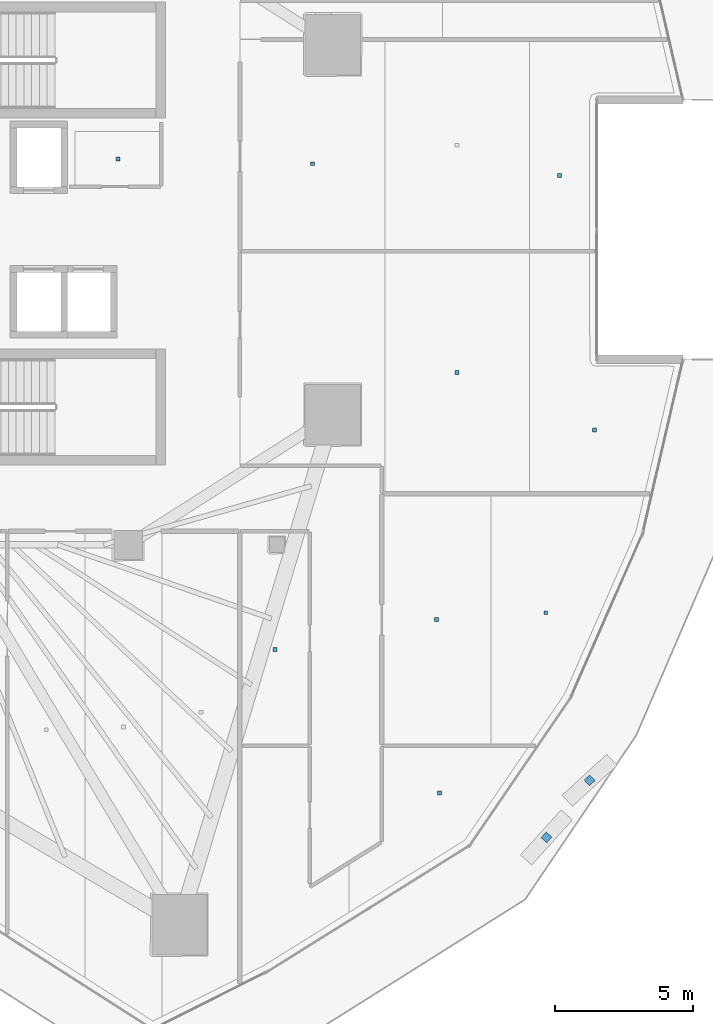
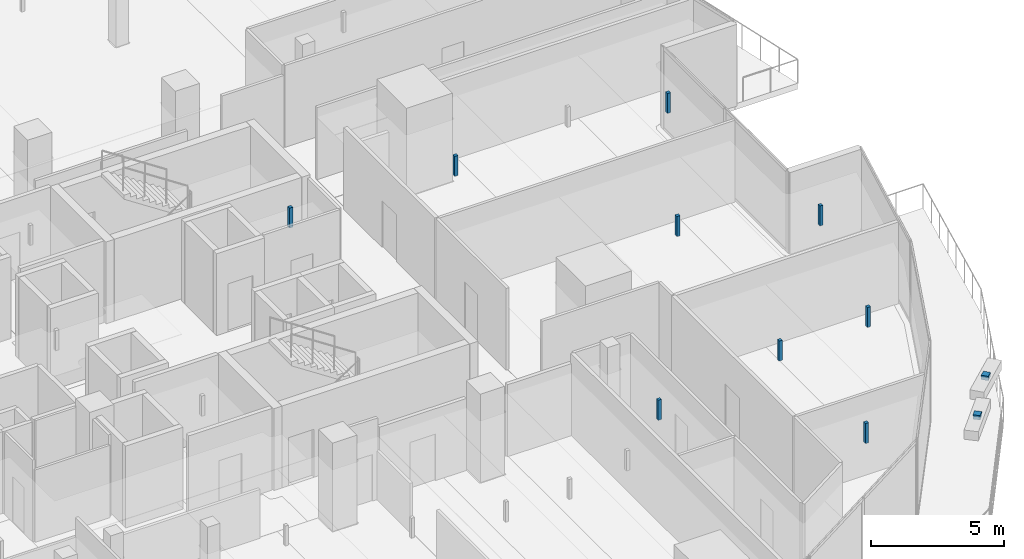
# One storey, part 28 of 36: 11 discrete accessories.
"""IFC4 building model written with IfcOpenShell, lengths in metres."""

from ifc_helpers import new_model, si_unit, direction, frame, origin, origin_2d, place, context, subcontext, project, spatial, rectangle, extrude, material, type_object, element, save


model = new_model("IFC4")

# Units and contexts
model_context = context("Model", 3, precision=1e-05, world=origin(), true_north=direction((0.0, 1.0)))
body_context = subcontext(model_context, "Body", "Model", "MODEL_VIEW")
ifc_project = project(units=[si_unit("LENGTHUNIT", "METRE"), si_unit("AREAUNIT", "SQUARE_METRE"), si_unit("VOLUMEUNIT", "CUBIC_METRE"), si_unit("PLANEANGLEUNIT", "RADIAN"), si_unit("MASSUNIT", "GRAM", prefix="KILO")], contexts=[model_context])

# Site, building, storey
site_placement = place(None, origin())
site = spatial("IfcSite", under=ifc_project, at=site_placement, CompositionType="ELEMENT")
building_placement = place(site_placement, origin())
building = spatial("IfcBuilding", under=site, at=building_placement, Name="Qorvath Tower", CompositionType="ELEMENT")
storey_placement = place(building_placement, frame((0.0, 0.0, 170.550048828125)))
storey = spatial("IfcBuildingStorey", under=building, at=storey_placement, Name="L39", CompositionType="ELEMENT", Elevation=170.550048828125)

# Discrete accessories
ifc_material = material(Name="Galvanised steel bracket", Category="steel")
discrete_accessory_type = type_object("IfcDiscreteAccessoryType", Name="DA-BRACKET", PredefinedType="BRACKET", material=ifc_material)
for number, where, z_axis, x_axis, name in (
    (1, (-2.00732421875, -22.079833984375, 3.60986328125), (0.0, 0.0, 1.0), (0.670405898823, 0.741994562529, 0.0), "Louvre Wave Support Bracket L39-02"),
    (2, (-0.44091796875, -20.00537109375, 3.60986328125), (0.0, 0.0, 1.0), (0.738918856585, 0.673794422196, 0.0), "Louvre Wave Support Bracket L39-03"),
):
    element("IfcDiscreteAccessory", number, at=place(storey_placement, frame(where, z_axis=z_axis, x_axis=x_axis)), inside=storey, type_object=discrete_accessory_type, Name=name, PredefinedType="NOTDEFINED", context=body_context, shape_type="SweptSolid", body=[
        extrude(rectangle(XDim=0.280029296875, YDim=0.280029296875, at=origin_2d()), origin(), (0.0, 0.0, 1.0), 0.199951171875),
    ])
for number, where, z_axis, x_axis, name in (
    (3, (-17.572509765625, 2.5625, 2.85986328125), (0.0, 0.0, 1.0), (1.0, 0.0, 0.0), "Acoustic Ceiling Suspension Hanger T1-L39-003"),
    (4, (-5.896484375, -20.4658203125, 2.85986328125), (0.0, 0.0, 1.0), (1.0, 0.0, 0.0), "Acoustic Ceiling Suspension Hanger T1-L39-020"),
    (5, (-6.001708984375, -14.168701171875, 2.85986328125), (0.0, 0.0, 1.0), (1.0, 0.0, 0.0), "Acoustic Ceiling Suspension Hanger T1-L39-021"),
    (6, (-2.035400390625, -13.920654296875, 2.85986328125), (0.0, 0.0, 1.0), (1.0, 0.0, 0.0), "Acoustic Ceiling Suspension Hanger T1-L39-022"),
    (7, (-11.875, -15.258056640625, 2.85986328125), (0.0, 0.0, 1.0), (1.0, 0.0, 0.0), "Acoustic Ceiling Suspension Hanger T1-L39-023"),
    (8, (-5.251220703125, -5.191162109375, 2.85986328125), (0.0, 0.0, 1.0), (1.0, 0.0, 0.0), "Acoustic Ceiling Suspension Hanger T1-L39-025"),
    (9, (-0.261962890625, -7.276123046875, 2.85986328125), (0.0, 0.0, 1.0), (1.0, 0.0, 0.0), "Acoustic Ceiling Suspension Hanger T1-L39-026"),
    (10, (-10.50830078125, 2.392822265625, 2.85986328125), (0.0, 0.0, 1.0), (1.0, 0.0, 0.0), "Acoustic Ceiling Suspension Hanger T1-L39-027"),
    (11, (-1.53076171875, 1.96630859375, 2.85986328125), (0.0, 0.0, 1.0), (1.0, 0.0, 0.0), "Acoustic Ceiling Suspension Hanger T1-L39-029"),
):
    element("IfcDiscreteAccessory", number, at=place(storey_placement, frame(where, z_axis=z_axis, x_axis=x_axis)), inside=storey, type_object=discrete_accessory_type, Name=name, PredefinedType="NOTDEFINED", context=body_context, shape_type="SweptSolid", body=[
        extrude(rectangle(XDim=0.139892578125, YDim=0.139892578125, at=origin_2d()), origin(), (0.0, 0.0, 1.0), 0.920166015625),
    ])

save(model, "model.ifc")
